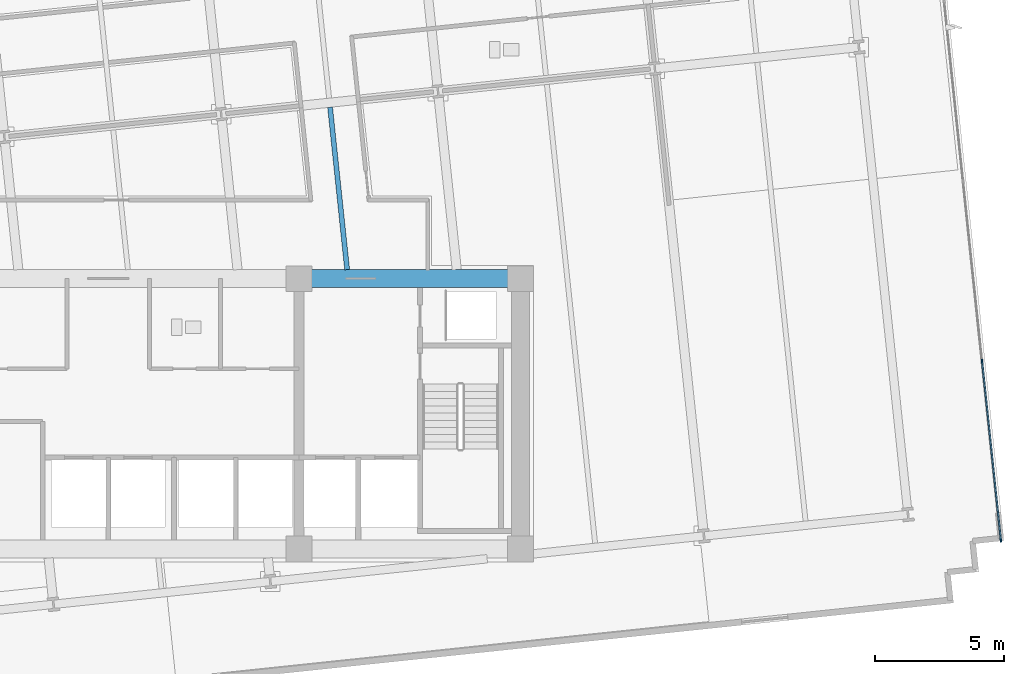
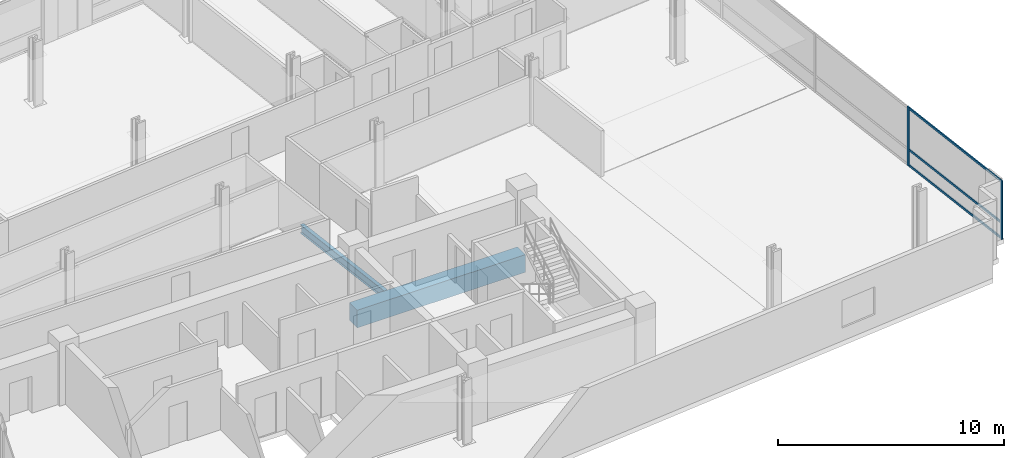
# One storey, part 6 of 20: 5 members, 2 beams, 1 element without a shape of its own.
"""IFC4 building model written with IfcOpenShell, lengths in metres."""

from ifc_helpers import new_model, si_unit, direction, frame, origin, origin_2d, place, context, subcontext, project, spatial, rectangle, i_section, extrude, material, material_profile, profile_set, type_object, element, aggregate, save


model = new_model("IFC4")

# Units and contexts
model_context = context("Model", 3, precision=1e-05, world=origin(), true_north=direction((0.0, 1.0)))
body_context = subcontext(model_context, "Body", "Model", "MODEL_VIEW")
ifc_project = project(units=[si_unit("LENGTHUNIT", "METRE"), si_unit("AREAUNIT", "SQUARE_METRE"), si_unit("VOLUMEUNIT", "CUBIC_METRE"), si_unit("PLANEANGLEUNIT", "RADIAN"), si_unit("MASSUNIT", "GRAM", prefix="KILO")], contexts=[model_context])

# Site, building, storey
site_placement = place(None, origin())
site = spatial("IfcSite", under=ifc_project, at=site_placement, CompositionType="ELEMENT")
building_placement = place(site_placement, origin())
building = spatial("IfcBuilding", under=site, at=building_placement, Name="Solmavex Isthmus Hotel", CompositionType="ELEMENT")
storey_placement = place(building_placement, frame((0.0, 0.0, 109.800048828125)))
storey = spatial("IfcBuildingStorey", under=building, at=storey_placement, Name="L29", CompositionType="ELEMENT", Elevation=109.800048828125)

# Beams
ifc_material_1 = material(Name="Steel ASTM A992 Grade 50", Category="steel")
ifc_material_profile_1 = material_profile(ifc_material_1, i_section(OverallWidth=0.1904296875, OverallDepth=0.456787109375, WebThickness=0.009033203125, FlangeThickness=0.014404296875, FilletRadius=0.0126953125, at=origin_2d()), Name="W18X50")
ifc_profile_set_1 = profile_set([ifc_material_profile_1], Name="Steel ASTM A992 Grade 50")
beam_type_1 = type_object("IfcBeamType", Name="BM-BJ-W18X50", PredefinedType="JOIST", material=ifc_profile_set_1)
beam_1_placement = place(storey_placement, frame((9.271484375, -2.14990234375, -0.488525390625), z_axis=(-0.104524400071, 0.994522322419, 0.0), x_axis=(-0.994522322419, -0.104524400071, 0.0)))
element("IfcBeam", 1, at=beam_1_placement, inside=storey, type_object=beam_type_1, Name="Secondary Floor Joist L29-J13", PredefinedType="JOIST", context=body_context, shape_type="SweptSolid", body=[
    extrude(i_section(OverallWidth=0.1904296875, OverallDepth=0.456787109375, WebThickness=0.009033203125, FlangeThickness=0.014404296875, FilletRadius=0.0126953125, at=origin_2d()), origin(), (0.0, 0.0, 1.0), 6.339111328125),
])
ifc_material_2 = material(Name="Concrete C60/75", Category="concrete")
ifc_material_profile_2 = material_profile(ifc_material_2, rectangle(XDim=0.699951171875, YDim=0.949951171875, at=origin_2d()), Name="RC700X950")
ifc_profile_set_2 = profile_set([ifc_material_profile_2], Name="Concrete C60/75")
beam_type_2 = type_object("IfcBeamType", Name="BM-CB-700X950", PredefinedType="BEAM", material=ifc_profile_set_2)
beam_2_placement = place(storey_placement, frame((7.39990234375, -2.5, -0.735107421875), z_axis=(1.0, 0.0, 0.0), x_axis=(0.0, 1.0, 0.0)))
element("IfcBeam", 2, at=beam_2_placement, inside=storey, type_object=beam_type_2, Name="Core Coupling Beam L29-CB6", PredefinedType="BEAM", context=body_context, shape_type="SweptSolid", body=[
    extrude(rectangle(XDim=0.699951171875, YDim=0.949951171875, at=origin_2d()), origin(), (0.0, 0.0, 1.0), 8.60009765625),
])

# Curtain wall, members
ifc_material_3 = material(Name="Aluminium alloy 6063-T6", Category="aluminium")
curtain_wall_type = type_object("IfcCurtainWallType", Name="CW-SYS-06", PredefinedType="NOTDEFINED", material=ifc_material_3)
curtain_wall_placement = place(storey_placement, origin())
curtain_wall = element("IfcCurtainWall", 3, at=curtain_wall_placement, inside=storey, type_object=curtain_wall_type, Name="Stick Curtain Wall CWL-L29-E1", PredefinedType="NOTDEFINED")
ifc_material_profile_3 = material_profile(ifc_material_3, rectangle(XDim=0.06005859375, YDim=0.139892578125, at=origin_2d()), Name="CWM-60X140")
ifc_profile_set_3 = profile_set([ifc_material_profile_3], Name="Aluminium alloy 6063-T6")
member_type_1 = type_object("IfcMemberType", Name="CW-SYS-06-MUL", PredefinedType="MULLION", material=ifc_profile_set_3)
member_1_placement = place(storey_placement, frame((34.65576171875, -12.657470703125, 0.0), z_axis=(0.0, 0.0, 1.0), x_axis=(-0.994521893044, -0.104528485381, 0.0)))
member_1 = element("IfcMember", 4, at=member_1_placement, type_object=member_type_1, Name="CW-06 mullion 1", PredefinedType="MULLION", context=body_context, shape_type="SweptSolid", body=[
    extrude(rectangle(XDim=0.06005859375, YDim=0.139892578125, at=origin_2d()), origin(), (0.0, 0.0, 1.0), 3.18994140625),
])
member_2_placement = place(storey_placement, frame((33.92529296875, -5.705810546875, 0.0), z_axis=(0.0, 0.0, 1.0), x_axis=(-0.994521893044, -0.104528485381, 0.0)))
member_2 = element("IfcMember", 5, at=member_2_placement, type_object=member_type_1, Name="CW-06 mullion 2", PredefinedType="MULLION", context=body_context, shape_type="SweptSolid", body=[
    extrude(rectangle(XDim=0.06005859375, YDim=0.139892578125, at=origin_2d()), origin(), (0.0, 0.0, 1.0), 3.18994140625),
])
ifc_material_profile_4 = material_profile(ifc_material_3, rectangle(XDim=0.06005859375, YDim=0.114990234375, at=origin_2d()), Name="CWT-60X115")
ifc_profile_set_4 = profile_set([ifc_material_profile_4], Name="Aluminium alloy 6063-T6")
member_type_2 = type_object("IfcMemberType", Name="CW-SYS-06-TRN", PredefinedType="USERDEFINED", material=ifc_profile_set_4)
member_3_placement = place(storey_placement, frame((34.65283203125, -12.627685546875, 0.057373046875), z_axis=(-0.10452523802, 0.99452223435, 0.0), x_axis=(-0.99452223435, -0.10452523802, 0.0)))
member_3 = element("IfcMember", 6, at=member_3_placement, type_object=member_type_2, Name="CW-06 transom 1.1", ObjectType="TRANSOM", PredefinedType="USERDEFINED", context=body_context, shape_type="SweptSolid", body=[
    extrude(rectangle(XDim=0.06005859375, YDim=0.114990234375, at=origin_2d()), origin(), (0.0, 0.0, 1.0), 6.929931640625),
])
member_4_placement = place(storey_placement, frame((34.65283203125, -12.627685546875, 0.89990234375), z_axis=(-0.10452523802, 0.99452223435, 0.0), x_axis=(-0.99452223435, -0.10452523802, 0.0)))
member_4 = element("IfcMember", 7, at=member_4_placement, type_object=member_type_2, Name="CW-06 transom 1.2", ObjectType="TRANSOM", PredefinedType="USERDEFINED", context=body_context, shape_type="SweptSolid", body=[
    extrude(rectangle(XDim=0.06005859375, YDim=0.114990234375, at=origin_2d()), origin(), (0.0, 0.0, 1.0), 6.929931640625),
])
member_5_placement = place(storey_placement, frame((34.65283203125, -12.627685546875, 3.132568359375), z_axis=(-0.10452523802, 0.99452223435, 0.0), x_axis=(-0.99452223435, -0.10452523802, 0.0)))
member_5 = element("IfcMember", 8, at=member_5_placement, type_object=member_type_2, Name="CW-06 transom 1.3", ObjectType="TRANSOM", PredefinedType="USERDEFINED", context=body_context, shape_type="SweptSolid", body=[
    extrude(rectangle(XDim=0.06005859375, YDim=0.114990234375, at=origin_2d()), origin(), (0.0, 0.0, 1.0), 6.929931640625),
])
aggregate(curtain_wall, [member_1, member_2, member_3, member_4, member_5])

save(model, "model.ifc")
